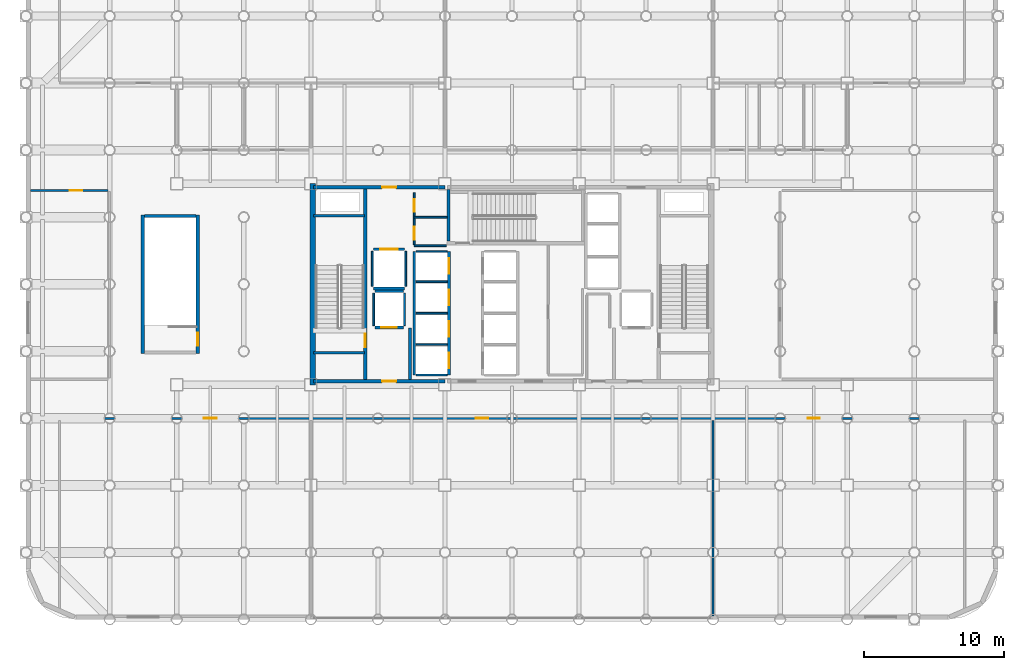
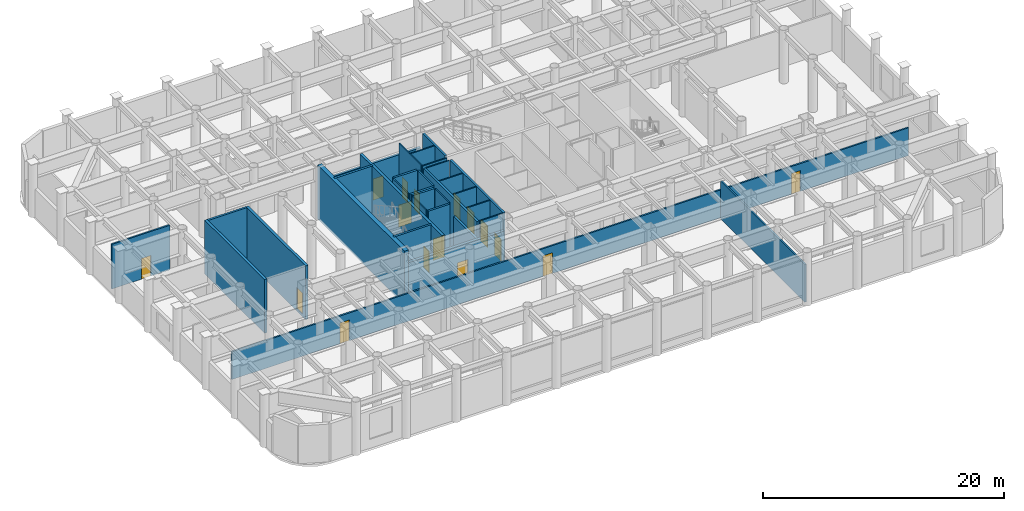
# One storey, part 14 of 20: 32 walls, 16 doors, 16 openings.
"""IFC4 building model written with IfcOpenShell, lengths in metres."""

import ifcopenshell
import ifcopenshell.guid

model = None  # the IFC model being written
_history = None  # IfcOwnerHistory: only IFC2X3 demands one
_inside = {}  # id of a spatial element -> (the spatial element, [elements in it])
_under = {}  # id of a project, library or spatial element -> (it, [spatial elements below it])
_declared = {}  # id of a project -> (the project, [libraries it declares])
_typed = {}  # id of a type object -> (the type object, [elements of that type])
_made_of = {}  # id of a material, layer set ... -> (it, [elements and type objects made of it])


def new_model(schema):
    """Start an empty IFC model of exactly this schema.

    Asked for "IFC4X3", IfcOpenShell would pick the latest addendum, in which some entities
    have other attributes; the version numbers below select the first issue.
    IFC2X3 requires an IfcOwnerHistory on every rooted entity: one is made here for all.
    """
    global model, _history
    if schema == "IFC4X3":
        model = ifcopenshell.file(schema_version=(4, 3, 0, 0))
    else:
        model = ifcopenshell.file(schema=schema)
    _inside.clear()
    _under.clear()
    _declared.clear()
    _typed.clear()
    _made_of.clear()
    _history = None
    if model.schema == "IFC2X3":
        org = make("IfcOrganization", Name="unknown")
        user = make(
            "IfcPersonAndOrganization",
            ThePerson=make("IfcPerson", FamilyName="unknown"),
            TheOrganization=org,
        )
        app = make(
            "IfcApplication",
            ApplicationDeveloper=org,
            Version="unknown",
            ApplicationFullName="unknown",
            ApplicationIdentifier="unknown",
        )
        _history = make(
            "IfcOwnerHistory",
            OwningUser=user,
            OwningApplication=app,
            ChangeAction="ADDED",
            CreationDate=0,
        )
    return model


def make(cls, **values):
    """One entity of the class cls with the attributes given. An attribute that is None is left unset."""
    return model.create_entity(
        cls, **{name: value for name, value in values.items() if value is not None}
    )


def rooted(cls, **values):
    """An entity with a GlobalId (a new one), such as an element, a storey or a relation."""
    return make(cls, GlobalId=ifcopenshell.guid.new(), OwnerHistory=_history, **values)


def si_unit(unit_type, name, prefix=None):
    """IfcSIUnit, for example si_unit("LENGTHUNIT", "METRE", prefix="MILLI")."""
    return make("IfcSIUnit", UnitType=unit_type, Prefix=prefix, Name=name)


def assignment(units):
    """IfcUnitAssignment: the units of a project."""
    return None if units is None else make("IfcUnitAssignment", Units=units)


def point(xyz):
    """IfcCartesianPoint."""
    return None if xyz is None else make("IfcCartesianPoint", Coordinates=xyz)


def direction(xyz):
    """IfcDirection."""
    return None if xyz is None else make("IfcDirection", DirectionRatios=xyz)


def frame(location, z_axis=None, x_axis=None):
    """IfcAxis2Placement3D, a coordinate frame: its origin and axes. An axis left out is left unset."""
    return make(
        "IfcAxis2Placement3D",
        Location=point(location),
        Axis=direction(z_axis),
        RefDirection=direction(x_axis),
    )


def frame_2d(location, x_axis=None):
    """IfcAxis2Placement2D, a coordinate frame in the plane: its origin and x axis."""
    return make(
        "IfcAxis2Placement2D", Location=point(location), RefDirection=direction(x_axis)
    )


def origin():
    """The frame at (0, 0, 0) with its axes left unset."""
    return frame((0.0, 0.0, 0.0))


def place(relative_to, where):
    """IfcLocalPlacement: puts the frame where relative to a parent placement (None: the world)."""
    return make(
        "IfcLocalPlacement", PlacementRelTo=relative_to, RelativePlacement=where
    )


def context(
    kind, dimensions, precision=None, world=None, true_north=None, identifier=None
):
    """IfcGeometricRepresentationContext, for example the 3D "Model" context."""
    return make(
        "IfcGeometricRepresentationContext",
        ContextIdentifier=identifier,
        ContextType=kind,
        CoordinateSpaceDimension=dimensions,
        Precision=precision,
        WorldCoordinateSystem=world,
        TrueNorth=true_north,
    )


def subcontext(parent, identifier, kind, view, scale=None):
    """IfcGeometricRepresentationSubContext, for example "Body" below "Model"."""
    return make(
        "IfcGeometricRepresentationSubContext",
        ContextIdentifier=identifier,
        ContextType=kind,
        ParentContext=parent,
        TargetScale=scale,
        TargetView=view,
    )


def project(units=None, contexts=None):
    """IfcProject with its units and contexts."""
    return rooted(
        "IfcProject",
        Name="project",
        RepresentationContexts=contexts,
        UnitsInContext=assignment(units),
    )


def spatial(cls, under=None, at=None, **own):
    """A site, building, storey or space (cls), placed at a placement, below another one or the project."""
    s = rooted(cls, ObjectPlacement=at, **own)
    if under is not None:
        _under.setdefault(under.id(), (under, []))[1].append(s)
    return s


def profile(cls, at=None, kind="AREA", **sizes):
    """A parametric profile (cls). Its sizes go by their IFC names, for example OverallWidth=200.0."""
    return make(cls, ProfileType=kind, Position=at, **sizes)


def rectangle(**sizes):
    """IfcRectangleProfileDef."""
    return profile("IfcRectangleProfileDef", **sizes)


def extrude(swept, where, along, depth):
    """IfcExtrudedAreaSolid: the profile swept, set in the frame where, extruded along a direction by depth."""
    return make(
        "IfcExtrudedAreaSolid",
        SweptArea=swept,
        Position=where,
        ExtrudedDirection=direction(along),
        Depth=depth,
    )


def shape(context_of_items, identifier, shape_type, items):
    """IfcShapeRepresentation: the items that make up one representation, for example the "Body"."""
    return make(
        "IfcShapeRepresentation",
        ContextOfItems=context_of_items,
        RepresentationIdentifier=identifier,
        RepresentationType=shape_type,
        Items=items,
    )


def material(Name=None, Category=None):
    """IfcMaterial."""
    return make("IfcMaterial", Name=Name, Category=Category)


def layer(
    of_material, thickness, ventilated=None, Name=None, Category=None, Priority=None
):
    """IfcMaterialLayer: one layer of a wall or slab, of a material (None: an air gap)."""
    return make(
        "IfcMaterialLayer",
        Material=of_material,
        LayerThickness=thickness,
        IsVentilated=ventilated,
        Name=Name,
        Category=Category,
        Priority=Priority,
    )


def layer_set(layers, Name=None):
    """IfcMaterialLayerSet."""
    return make("IfcMaterialLayerSet", MaterialLayers=layers, LayerSetName=Name)


def made_of(thing, what):
    """Note that an element or type object is made of a material, layer set ...; save() writes the relation."""
    if what is not None:
        _made_of.setdefault(what.id(), (what, []))[1].append(thing)
    return thing


def type_object(cls, material=None, **own):
    """A type object (cls), such as IfcWallType, which elements share."""
    return made_of(rooted(cls, **own), material)


def element(
    cls,
    number,
    at=None,
    inside=None,
    cuts=None,
    type_object=None,
    material=None,
    context=None,
    identifier="Body",
    shape_type=None,
    held_by="IfcProductDefinitionShape",
    body=None,
    shapes=None,
    **own,
):
    """One element of the class cls, such as IfcWall. Its Tag is "e" and its number.

    at: its placement. inside: the storey or other place that contains it. cuts: it is an
    opening in that element (IfcRelVoidsElement). A single representation is given by context,
    identifier, shape_type and body (its items); several are given by shapes. held_by: the class
    of the entity that holds the representations. save() writes the other relations.
    """
    e = rooted(cls, Tag="e%d" % number, ObjectPlacement=at, **own)
    if body is not None:
        shapes = [shape(context, identifier, shape_type, body)]
    if shapes is not None:
        e.Representation = make(held_by, Representations=shapes)
    if inside is not None:
        _inside.setdefault(inside.id(), (inside, []))[1].append(e)
    if cuts is not None:
        rooted(
            "IfcRelVoidsElement", RelatingBuildingElement=cuts, RelatedOpeningElement=e
        )
    if type_object is not None:
        _typed.setdefault(type_object.id(), (type_object, []))[1].append(e)
    return made_of(e, material)


def fill(opening, filler):
    """IfcRelFillsElement: the door or window that sits in an opening."""
    return rooted(
        "IfcRelFillsElement",
        RelatingOpeningElement=opening,
        RelatedBuildingElement=filler,
    )


def aggregate(whole, parts):
    """IfcRelAggregates: a whole, such as a stair, and the parts it consists of."""
    return rooted("IfcRelAggregates", RelatingObject=whole, RelatedObjects=parts)


def save(model, path):
    """Write the relations noted so far, then the file.

    IfcRelAggregates (storeys below a building ...), IfcRelContainedInSpatialStructure (elements
    in a storey), IfcRelDefinesByType, IfcRelAssociatesMaterial and IfcRelDeclares: one each for
    every whole, place, type object, material and project.
    """
    for whole, parts in _under.values():
        aggregate(whole, parts)
    for where, things in _inside.values():
        rooted(
            "IfcRelContainedInSpatialStructure",
            RelatedElements=things,
            RelatingStructure=where,
        )
    for kind, things in _typed.values():
        rooted("IfcRelDefinesByType", RelatedObjects=things, RelatingType=kind)
    for what, things in _made_of.values():
        rooted("IfcRelAssociatesMaterial", RelatedObjects=things, RelatingMaterial=what)
    for by, libraries in _declared.values():
        rooted("IfcRelDeclares", RelatingContext=by, RelatedDefinitions=libraries)
    model.write(path)


model = new_model("IFC4")

# Units and contexts
model_context = context("Model", 3, precision=1e-05, world=origin(), true_north=direction((0.0, 1.0)))
body_context = subcontext(model_context, "Body", "Model", "MODEL_VIEW")
ifc_project = project(units=[si_unit("LENGTHUNIT", "METRE"), si_unit("AREAUNIT", "SQUARE_METRE"), si_unit("VOLUMEUNIT", "CUBIC_METRE"), si_unit("PLANEANGLEUNIT", "RADIAN"), si_unit("MASSUNIT", "GRAM", prefix="KILO")], contexts=[model_context])

# Site, building, storey
site_placement = place(None, origin())
site = spatial("IfcSite", under=ifc_project, at=site_placement, CompositionType="ELEMENT")
building_placement = place(site_placement, origin())
building = spatial("IfcBuilding", under=site, at=building_placement, Name="Kallvorn Hotel Tower", CompositionType="ELEMENT")
storey_placement = place(building_placement, frame((0.0, 0.0, 24.60009765625)))
storey = spatial("IfcBuildingStorey", under=building, at=storey_placement, Name="L04", CompositionType="ELEMENT", Elevation=24.60009765625)

# Walls
ifc_material_1 = material(Name="Concrete C50/60", Category="concrete")
ifc_layer_1 = layer(ifc_material_1, 0.39990234375)
ifc_layer_set_1 = layer_set([ifc_layer_1], Name="WL_CORE_400")
wall_type_1 = type_object("IfcWallType", Name="WL_CORE_400", PredefinedType="SHEAR", material=ifc_layer_set_1)
wall_1_placement = place(storey_placement, frame((-14.264892578125, -7.199951171875, -0.22021484375), z_axis=(0.0, 0.0, 1.0), x_axis=(0.0, 1.0, 0.0)))
element("IfcWall", 1, at=wall_1_placement, inside=storey, type_object=wall_type_1, Name="L04 Core West Shear Wall", PredefinedType="SHEAR", context=body_context, shape_type="SweptSolid", body=[
    extrude(rectangle(XDim=14.39990234375, YDim=0.39990234375, at=frame_2d((7.199951171875, 0.0))), origin(), (0.0, 0.0, 1.0), 5.440185546875),
])
ifc_material_2 = material(Name="Concrete C40/50", Category="concrete")
ifc_layer_2 = layer(ifc_material_2, 0.219970703125)
ifc_layer_set_2 = layer_set([ifc_layer_2], Name="WL_FFL_220")
wall_type_2 = type_object("IfcWallType", Name="WL_FFL_220", PredefinedType="SOLIDWALL", material=ifc_layer_set_2)
wall_2_placement = place(storey_placement, frame((-7.300048828125, -6.820068359375, 0.0), z_axis=(0.0, 0.0, 1.0), x_axis=(0.0, 1.0, 0.0)))
element("IfcWall", 2, at=wall_2_placement, inside=storey, type_object=wall_type_2, Name="L04 Firefighting Lobby West Divider Wall", PredefinedType="SOLIDWALL", context=body_context, shape_type="SweptSolid", body=[
    extrude(rectangle(XDim=3.670166015625, YDim=0.219970703125, at=frame_2d((1.8349609375, 0.0))), origin(), (0.0, 0.0, 1.0), 3.81982421875),
])
ifc_material_3 = material(Name="Concrete C40/50", Category="concrete")
ifc_layer_3 = layer(ifc_material_3, 0.199951171875)
ifc_layer_set_3 = layer_set([ifc_layer_3], Name="WL_HOIST_200")
wall_type_3 = type_object("IfcWallType", Name="WL_HOIST_200", PredefinedType="SOLIDWALL", material=ifc_layer_set_3)
for number, where, z_axis, x_axis, name in (
    (3, (-14.199951171875, -4.89990234375, -0.22021484375), (0.0, 0.0, 1.0), (1.0, 0.0, 0.0), "L04 Stair ST1 South Wall"),
    (4, (-14.199951171875, 4.89990234375, -0.22021484375), (0.0, 0.0, 1.0), (1.0, 0.0, 0.0), "L04 Stair ST1 North Wall"),
):
    element("IfcWall", number, at=place(storey_placement, frame(where, z_axis=z_axis, x_axis=x_axis)), inside=storey, type_object=wall_type_3, Name=name, PredefinedType="SOLIDWALL", context=body_context, shape_type="SweptSolid", body=[
        extrude(rectangle(XDim=3.64990234375, YDim=0.199951171875, at=frame_2d((1.824951171875, 0.0))), origin(), (0.0, 0.0, 1.0), 5.440185546875),
    ])
wall_3_placement = place(storey_placement, frame((-4.550048828125, 3.080078125, -0.22021484375), z_axis=(0.0, 0.0, 1.0), x_axis=(0.0, 1.0, 0.0)))
element("IfcWall", 5, at=wall_3_placement, inside=storey, type_object=wall_type_3, Name="L04 Stair ST3 West Wall", PredefinedType="SOLIDWALL", context=body_context, shape_type="SweptSolid", body=[
    extrude(rectangle(XDim=3.739990234375, YDim=0.199951171875, at=frame_2d((1.8701171875, 0.0))), origin(), (0.0, 0.0, 1.0), 5.440185546875),
])
wall_4_placement = place(storey_placement, frame((-26.31005859375, 4.8798828125, -0.22021484375), z_axis=(0.0, 0.0, 1.0), x_axis=(1.0, 0.0, 0.0)))
element("IfcWall", 6, at=wall_4_placement, inside=storey, type_object=wall_type_3, Name="L04 Podium Exit Stair ST4 North Wall", PredefinedType="SOLIDWALL", context=body_context, shape_type="SweptSolid", body=[
    extrude(rectangle(XDim=3.68017578125, YDim=0.199951171875, at=frame_2d((1.840087890625, 0.0))), origin(), (0.0, 0.0, 1.0), 5.440185546875),
])

# Wall, openings, doors
wall_5_placement = place(storey_placement, frame((-4.5, -6.5, 0.0), z_axis=(0.0, 0.0, 1.0), x_axis=(0.0, 1.0, 0.0)))
wall_5 = element("IfcWall", 7, at=wall_5_placement, inside=storey, type_object=wall_type_3, Name="L04 Lift Bank B1 Landing Wall", PredefinedType="SOLIDWALL", context=body_context, shape_type="SweptSolid", body=[
    extrude(rectangle(XDim=8.85009765625, YDim=0.199951171875, at=frame_2d((4.425048828125, 0.0))), origin(), (0.0, 0.0, 1.0), 5.219970703125),
])
opening_1_placement = place(wall_5_placement, frame((0.5, 0.0, 0.0)))
opening_1 = element("IfcOpeningElement", 8, at=opening_1_placement, cuts=wall_5, Name="Opening LD-PL-01", PredefinedType="OPENING", context=body_context, shape_type="SweptSolid", body=[
    extrude(rectangle(XDim=1.10009765625, YDim=2.199951171875, at=frame_2d((0.550048828125, 1.10009765625))), frame((0.0, 0.114990234375, 0.0), z_axis=(0.0, -1.0, 0.0), x_axis=(1.0, 0.0, 0.0)), (0.0, 0.0, 1.0), 0.22998046875),
])
opening_2_placement = place(wall_5_placement, frame((2.75, 0.0, 0.0)))
opening_2 = element("IfcOpeningElement", 9, at=opening_2_placement, cuts=wall_5, Name="Opening LD-PL-02", PredefinedType="OPENING", context=body_context, shape_type="SweptSolid", body=[
    extrude(rectangle(XDim=1.10009765625, YDim=2.199951171875, at=frame_2d((0.550048828125, 1.10009765625))), frame((0.0, 0.114990234375, 0.0), z_axis=(0.0, -1.0, 0.0), x_axis=(1.0, 0.0, 0.0)), (0.0, 0.0, 1.0), 0.22998046875),
])
opening_3_placement = place(wall_5_placement, frame((5.0, 0.0, 0.0)))
opening_3 = element("IfcOpeningElement", 10, at=opening_3_placement, cuts=wall_5, Name="Opening LD-PL-03", PredefinedType="OPENING", context=body_context, shape_type="SweptSolid", body=[
    extrude(rectangle(XDim=1.10009765625, YDim=2.199951171875, at=frame_2d((0.550048828125, 1.10009765625))), frame((0.0, 0.114990234375, 0.0), z_axis=(0.0, -1.0, 0.0), x_axis=(1.0, 0.0, 0.0)), (0.0, 0.0, 1.0), 0.22998046875),
])
opening_4_placement = place(wall_5_placement, frame((7.25, 0.0, 0.0)))
opening_4 = element("IfcOpeningElement", 11, at=opening_4_placement, cuts=wall_5, Name="Opening LD-PL-04", PredefinedType="OPENING", context=body_context, shape_type="SweptSolid", body=[
    extrude(rectangle(XDim=1.10009765625, YDim=2.199951171875, at=frame_2d((0.550048828125, 1.10009765625))), frame((0.0, 0.114990234375, 0.0), z_axis=(0.0, -1.0, 0.0), x_axis=(1.0, 0.0, 0.0)), (0.0, 0.0, 1.0), 0.22998046875),
])
ifc_material_4 = material(Name="Brushed stainless-steel automatic sliding lift landing door", Category="steel")
door_type_1 = type_object("IfcDoorType", Name="LD_PASS_1100x2200", OperationType="SLIDING_TO_LEFT", PredefinedType="DOOR", material=ifc_material_4)
door_1_placement = place(opening_1_placement, origin())
door_1 = element("IfcDoor", 12, at=door_1_placement, inside=storey, type_object=door_type_1, Name="L04 Lift Landing Sliding Door LD-PL-01", OperationType="SLIDING_TO_LEFT", OverallHeight=2.199951171875, OverallWidth=1.10009765625, PredefinedType="DOOR", context=body_context, shape_type="SweptSolid", body=[
    extrude(rectangle(XDim=1.10009765625, YDim=2.199951171875, at=frame_2d((0.550048828125, 1.10009765625))), frame((0.0, 0.02490234375, 0.0), z_axis=(0.0, -1.0, 0.0), x_axis=(1.0, 0.0, 0.0)), (0.0, 0.0, 1.0), 0.050048828125),
])
fill(opening_1, door_1)
door_2_placement = place(opening_2_placement, origin())
door_2 = element("IfcDoor", 13, at=door_2_placement, inside=storey, type_object=door_type_1, Name="L04 Lift Landing Sliding Door LD-PL-02", OperationType="SLIDING_TO_LEFT", OverallHeight=2.199951171875, OverallWidth=1.10009765625, PredefinedType="DOOR", context=body_context, shape_type="SweptSolid", body=[
    extrude(rectangle(XDim=1.10009765625, YDim=2.199951171875, at=frame_2d((0.550048828125, 1.10009765625))), frame((0.0, 0.02490234375, 0.0), z_axis=(0.0, -1.0, 0.0), x_axis=(1.0, 0.0, 0.0)), (0.0, 0.0, 1.0), 0.050048828125),
])
fill(opening_2, door_2)
door_3_placement = place(opening_3_placement, origin())
door_3 = element("IfcDoor", 14, at=door_3_placement, inside=storey, type_object=door_type_1, Name="L04 Lift Landing Sliding Door LD-PL-03", OperationType="SLIDING_TO_LEFT", OverallHeight=2.199951171875, OverallWidth=1.10009765625, PredefinedType="DOOR", context=body_context, shape_type="SweptSolid", body=[
    extrude(rectangle(XDim=1.10009765625, YDim=2.199951171875, at=frame_2d((0.550048828125, 1.10009765625))), frame((0.0, 0.02490234375, 0.0), z_axis=(0.0, -1.0, 0.0), x_axis=(1.0, 0.0, 0.0)), (0.0, 0.0, 1.0), 0.050048828125),
])
fill(opening_3, door_3)
door_4_placement = place(opening_4_placement, origin())
door_4 = element("IfcDoor", 15, at=door_4_placement, inside=storey, type_object=door_type_1, Name="L04 Lift Landing Sliding Door LD-PL-04", OperationType="SLIDING_TO_LEFT", OverallHeight=2.199951171875, OverallWidth=1.10009765625, PredefinedType="DOOR", context=body_context, shape_type="SweptSolid", body=[
    extrude(rectangle(XDim=1.10009765625, YDim=2.199951171875, at=frame_2d((0.550048828125, 1.10009765625))), frame((0.0, 0.02490234375, 0.0), z_axis=(0.0, -1.0, 0.0), x_axis=(1.0, 0.0, 0.0)), (0.0, 0.0, 1.0), 0.050048828125),
])
fill(opening_4, door_4)

# Wall
wall_6_placement = place(storey_placement, frame((-7.0, -6.5, 0.0), z_axis=(0.0, 0.0, 1.0), x_axis=(0.0, 1.0, 0.0)))
element("IfcWall", 16, at=wall_6_placement, inside=storey, type_object=wall_type_3, Name="L04 Lift Bank B1 Rear Shaft Wall", PredefinedType="SOLIDWALL", context=body_context, shape_type="SweptSolid", body=[
    extrude(rectangle(XDim=8.85009765625, YDim=0.199951171875, at=frame_2d((4.425048828125, 0.0))), origin(), (0.0, 0.0, 1.0), 5.219970703125),
])

# Wall, opening, door
wall_7_placement = place(storey_placement, frame((-9.820068359375, -3.10009765625, 0.0), z_axis=(0.0, 0.0, 1.0), x_axis=(1.0, 0.0, 0.0)))
wall_7 = element("IfcWall", 17, at=wall_7_placement, inside=storey, type_object=wall_type_3, Name="L04 FL-1 Landing Wall", PredefinedType="SOLIDWALL", context=body_context, shape_type="SweptSolid", body=[
    extrude(rectangle(XDim=2.0400390625, YDim=0.199951171875, at=frame_2d((1.02001953125, 0.0))), origin(), (0.0, 0.0, 1.0), 5.219970703125),
])
opening_5_placement = place(wall_7_placement, frame((0.469970703125, 0.0, 0.0)))
opening_5 = element("IfcOpeningElement", 18, at=opening_5_placement, cuts=wall_7, Name="Opening LD-FL-1", PredefinedType="OPENING", context=body_context, shape_type="SweptSolid", body=[
    extrude(rectangle(XDim=1.10009765625, YDim=2.199951171875, at=frame_2d((0.550048828125, 1.10009765625))), frame((0.0, 0.114990234375, 0.0), z_axis=(0.0, -1.0, 0.0), x_axis=(1.0, 0.0, 0.0)), (0.0, 0.0, 1.0), 0.22998046875),
])
door_5_placement = place(opening_5_placement, origin())
door_5 = element("IfcDoor", 19, at=door_5_placement, inside=storey, type_object=door_type_1, Name="L04 Lift Landing Sliding Door LD-FL-1", OperationType="SLIDING_TO_LEFT", OverallHeight=2.199951171875, OverallWidth=1.10009765625, PredefinedType="DOOR", context=body_context, shape_type="SweptSolid", body=[
    extrude(rectangle(XDim=1.10009765625, YDim=2.199951171875, at=frame_2d((0.550048828125, 1.10009765625))), frame((0.0, 0.02490234375, 0.0), z_axis=(0.0, -1.0, 0.0), x_axis=(1.0, 0.0, 0.0)), (0.0, 0.0, 1.0), 0.050048828125),
])
fill(opening_5, door_5)

# Wall
wall_8_placement = place(storey_placement, frame((-9.820068359375, -0.5, 0.0), z_axis=(0.0, 0.0, 1.0), x_axis=(1.0, 0.0, 0.0)))
element("IfcWall", 20, at=wall_8_placement, inside=storey, type_object=wall_type_3, Name="L04 FL-1 Rear Shaft Wall", PredefinedType="SOLIDWALL", context=body_context, shape_type="SweptSolid", body=[
    extrude(rectangle(XDim=2.0400390625, YDim=0.199951171875, at=frame_2d((1.02001953125, 0.0))), origin(), (0.0, 0.0, 1.0), 5.219970703125),
])

# Wall, opening, door
wall_9_placement = place(storey_placement, frame((-9.919921875, 2.5, 0.0), z_axis=(0.0, 0.0, 1.0), x_axis=(1.0, 0.0, 0.0)))
wall_9 = element("IfcWall", 21, at=wall_9_placement, inside=storey, type_object=wall_type_3, Name="L04 SV-01 Landing Wall", PredefinedType="SOLIDWALL", context=body_context, shape_type="SweptSolid", body=[
    extrude(rectangle(XDim=2.239990234375, YDim=0.199951171875, at=frame_2d((1.1201171875, 0.0))), origin(), (0.0, 0.0, 1.0), 5.219970703125),
])
opening_6_placement = place(wall_9_placement, frame((0.4951171875, 0.0, 0.0)))
opening_6 = element("IfcOpeningElement", 22, at=opening_6_placement, cuts=wall_9, Name="Opening LD-SV-01", PredefinedType="OPENING", context=body_context, shape_type="SweptSolid", body=[
    extrude(rectangle(XDim=1.25, YDim=2.25, at=frame_2d((0.625, 1.125))), frame((0.0, 0.114990234375, 0.0), z_axis=(0.0, -1.0, 0.0), x_axis=(1.0, 0.0, 0.0)), (0.0, 0.0, 1.0), 0.22998046875),
])
ifc_material_5 = material(Name="Brushed stainless-steel automatic sliding lift landing door", Category="steel")
door_type_2 = type_object("IfcDoorType", Name="LD_SERV_1250x2250", OperationType="SLIDING_TO_LEFT", PredefinedType="DOOR", material=ifc_material_5)
door_6_placement = place(opening_6_placement, origin())
door_6 = element("IfcDoor", 23, at=door_6_placement, inside=storey, type_object=door_type_2, Name="L04 Lift Landing Sliding Door LD-SV-01", OperationType="SLIDING_TO_LEFT", OverallHeight=2.25, OverallWidth=1.25, PredefinedType="DOOR", context=body_context, shape_type="SweptSolid", body=[
    extrude(rectangle(XDim=1.25, YDim=2.25, at=frame_2d((0.625, 1.125))), frame((0.0, 0.02490234375, 0.0), z_axis=(0.0, -1.0, 0.0), x_axis=(1.0, 0.0, 0.0)), (0.0, 0.0, 1.0), 0.050048828125),
])
fill(opening_6, door_6)

# Walls
wall_10_placement = place(storey_placement, frame((-9.919921875, -0.300048828125, 0.0), z_axis=(0.0, 0.0, 1.0), x_axis=(1.0, 0.0, 0.0)))
element("IfcWall", 24, at=wall_10_placement, inside=storey, type_object=wall_type_3, Name="L04 SV-01 Rear Shaft Wall", PredefinedType="SOLIDWALL", context=body_context, shape_type="SweptSolid", body=[
    extrude(rectangle(XDim=2.239990234375, YDim=0.199951171875, at=frame_2d((1.1201171875, 0.0))), origin(), (0.0, 0.0, 1.0), 5.219970703125),
])
ifc_material_6 = material(Name="Fire-rated double-layer acoustic gypsum drywall EI 60")
ifc_layer_4 = layer(ifc_material_6, 0.1201171875)
ifc_layer_set_4 = layer_set([ifc_layer_4], Name="WL_INT_120")
wall_type_4 = type_object("IfcWallType", Name="WL_INT_120", PredefinedType="PARTITIONING", material=ifc_layer_set_4)
for number, where, z_axis, x_axis, name in (
    (25, (-6.860107421875, -6.5, 0.0), (0.0, 0.0, 1.0), (1.0, 0.0, 0.0), "L04 Lift Bank B1 South Closure Wall"),
    (26, (-6.860107421875, -4.324951171875, 0.0), (0.0, 0.0, 1.0), (1.0, 0.0, 0.0), "L04 PL-01 Hoistway Divider"),
    (27, (-6.860107421875, -2.074951171875, 0.0), (0.0, 0.0, 1.0), (1.0, 0.0, 0.0), "L04 PL-02 Hoistway Divider"),
    (28, (-6.860107421875, 0.175048828125, 0.0), (0.0, 0.0, 1.0), (1.0, 0.0, 0.0), "L04 PL-03 Hoistway Divider"),
    (29, (-6.860107421875, 2.35009765625, 0.0), (0.0, 0.0, 1.0), (1.0, 0.0, 0.0), "L04 PL-04 Hoistway Divider"),
):
    element("IfcWall", number, at=place(storey_placement, frame(where, z_axis=z_axis, x_axis=x_axis)), inside=storey, type_object=wall_type_4, Name=name, PredefinedType="PARTITIONING", context=body_context, shape_type="SweptSolid", body=[
        extrude(rectangle(XDim=2.22021484375, YDim=0.1201171875, at=frame_2d((1.110107421875, 0.0))), origin(), (0.0, 0.0, 1.0), 5.219970703125),
    ])
for number, where, z_axis, x_axis, name in (
    (30, (-9.89990234375, -2.9599609375, 0.0), (0.0, 0.0, 1.0), (0.0, 1.0, 0.0), "L04 FL-1 West Shaft Wall"),
    (31, (-7.699951171875, -2.9599609375, 0.0), (0.0, 0.0, 1.0), (0.0, 1.0, 0.0), "L04 FL-1 East Shaft Wall"),
):
    element("IfcWall", number, at=place(storey_placement, frame(where, z_axis=z_axis, x_axis=x_axis)), inside=storey, type_object=wall_type_4, Name=name, PredefinedType="PARTITIONING", context=body_context, shape_type="SweptSolid", body=[
        extrude(rectangle(XDim=2.320068359375, YDim=0.1201171875, at=frame_2d((1.16015625, 0.0))), origin(), (0.0, 0.0, 1.0), 5.219970703125),
    ])
for number, where, z_axis, x_axis, name in (
    (32, (-10.0, -0.159912109375, 0.0), (0.0, 0.0, 1.0), (0.0, 1.0, 0.0), "L04 SV-01 West Shaft Wall"),
    (33, (-7.60009765625, -0.159912109375, 0.0), (0.0, 0.0, 1.0), (0.0, 1.0, 0.0), "L04 SV-01 East Shaft Wall"),
):
    element("IfcWall", number, at=place(storey_placement, frame(where, z_axis=z_axis, x_axis=x_axis)), inside=storey, type_object=wall_type_4, Name=name, PredefinedType="PARTITIONING", context=body_context, shape_type="SweptSolid", body=[
        extrude(rectangle(XDim=2.52001953125, YDim=0.1201171875, at=frame_2d((1.260009765625, 0.0))), origin(), (0.0, 0.0, 1.0), 5.219970703125),
    ])
wall_11_placement = place(storey_placement, frame((-7.0, 2.75, 0.0), z_axis=(0.0, 0.0, 1.0), x_axis=(1.0, 0.0, 0.0)))
element("IfcWall", 34, at=wall_11_placement, inside=storey, type_object=wall_type_4, Name="L04 Core Ice and Vending Pantry Partition", PredefinedType="PARTITIONING", context=body_context, shape_type="SweptSolid", body=[
    extrude(rectangle(XDim=2.31005859375, YDim=0.1201171875, at=frame_2d((1.155029296875, 0.0))), origin(), (0.0, 0.0, 1.0), 5.219970703125),
])
wall_12_placement = place(storey_placement, frame((-7.0, 4.800048828125, 0.0), z_axis=(0.0, 0.0, 1.0), x_axis=(1.0, 0.0, 0.0)))
element("IfcWall", 35, at=wall_12_placement, inside=storey, type_object=wall_type_4, Name="L04 Core Ice and Vending Pantry Partition", PredefinedType="PARTITIONING", context=body_context, shape_type="SweptSolid", body=[
    extrude(rectangle(XDim=2.35009765625, YDim=0.1201171875, at=frame_2d((1.175048828125, 0.0))), origin(), (0.0, 0.0, 1.0), 5.219970703125),
])

# Wall, openings, doors
wall_13_placement = place(storey_placement, frame((-7.0, 2.8349609375, 0.0), z_axis=(0.0, 0.0, 1.0), x_axis=(0.0, 1.0, 0.0)))
wall_13 = element("IfcWall", 36, at=wall_13_placement, inside=storey, type_object=wall_type_4, Name="L04 Core Ice and Vending Pantry Partition", PredefinedType="PARTITIONING", context=body_context, shape_type="SweptSolid", body=[
    extrude(rectangle(XDim=3.715087890625, YDim=0.1201171875, at=frame_2d((1.857421875, 0.0))), origin(), (0.0, 0.0, 1.0), 5.219970703125),
])
opening_7_placement = place(wall_13_placement, frame((0.364990234375, 0.0, 0.0)))
opening_7 = element("IfcOpeningElement", 37, at=opening_7_placement, cuts=wall_13, Name="Opening SVD1", PredefinedType="OPENING", context=body_context, shape_type="SweptSolid", body=[
    extrude(rectangle(XDim=0.89990234375, YDim=2.10009765625, at=frame_2d((0.449951171875, 1.050048828125))), frame((0.0, 0.074951171875, 0.0), z_axis=(0.0, -1.0, 0.0), x_axis=(1.0, 0.0, 0.0)), (0.0, 0.0, 1.0), 0.150146484375),
])
opening_8_placement = place(wall_13_placement, frame((2.364990234375, 0.0, 0.0)))
opening_8 = element("IfcOpeningElement", 38, at=opening_8_placement, cuts=wall_13, Name="Opening SVD1", PredefinedType="OPENING", context=body_context, shape_type="SweptSolid", body=[
    extrude(rectangle(XDim=0.89990234375, YDim=2.10009765625, at=frame_2d((0.449951171875, 1.050048828125))), frame((0.0, 0.074951171875, 0.0), z_axis=(0.0, -1.0, 0.0), x_axis=(1.0, 0.0, 0.0)), (0.0, 0.0, 1.0), 0.150146484375),
])
ifc_material_7 = material(Name="Galvanised painted steel fire-rated door assembly", Category="steel")
door_type_3 = type_object("IfcDoorType", Name="DR_SERV_900x2100", OperationType="NOTDEFINED", PredefinedType="DOOR", material=ifc_material_7)
door_7_placement = place(opening_7_placement, origin())
door_7 = element("IfcDoor", 39, at=door_7_placement, inside=storey, type_object=door_type_3, Name="L04 Core Ice and Vending Pantry Door", OperationType="SINGLE_SWING_LEFT", OverallHeight=2.10009765625, OverallWidth=0.89990234375, PredefinedType="DOOR", context=body_context, shape_type="SweptSolid", body=[
    extrude(rectangle(XDim=0.89990234375, YDim=2.10009765625, at=frame_2d((0.449951171875, 1.050048828125))), frame((0.0, 0.02490234375, 0.0), z_axis=(0.0, -1.0, 0.0), x_axis=(1.0, 0.0, 0.0)), (0.0, 0.0, 1.0), 0.050048828125),
])
fill(opening_7, door_7)
door_8_placement = place(opening_8_placement, origin())
door_8 = element("IfcDoor", 40, at=door_8_placement, inside=storey, type_object=door_type_3, Name="L04 Core Linen Supply Closet Door", OperationType="SINGLE_SWING_LEFT", OverallHeight=2.10009765625, OverallWidth=0.89990234375, PredefinedType="DOOR", context=body_context, shape_type="SweptSolid", body=[
    extrude(rectangle(XDim=0.89990234375, YDim=2.10009765625, at=frame_2d((0.449951171875, 1.050048828125))), frame((0.0, 0.02490234375, 0.0), z_axis=(0.0, -1.0, 0.0), x_axis=(1.0, 0.0, 0.0)), (0.0, 0.0, 1.0), 0.050048828125),
])
fill(opening_8, door_8)

ifc_material_8 = material(Name="Fire-rated double-layer acoustic gypsum drywall EI 60")
ifc_layer_5 = layer(ifc_material_8, 0.14990234375)
ifc_layer_set_5 = layer_set([ifc_layer_5], Name="WL_PART_150")
wall_type_5 = type_object("IfcWallType", Name="WL_PART_150", PredefinedType="PARTITIONING", material=ifc_layer_set_5)
wall_14_placement = place(storey_placement, frame((-32.39990234375, -9.60009765625, 0.0), z_axis=(0.0, 0.0, 1.0), x_axis=(1.0, 0.0, 0.0)))
wall_14 = element("IfcWall", 41, at=wall_14_placement, inside=storey, type_object=wall_type_5, Name="L04 Altitude Fitness and Cardio Gymnasium Partition", PredefinedType="PARTITIONING", context=body_context, shape_type="SweptSolid", body=[
    extrude(rectangle(XDim=64.7998046875, YDim=0.14990234375, at=frame_2d((32.39990234375, 0.0))), origin(), (0.0, 0.0, 1.0), 2.81982421875),
])
opening_9_placement = place(wall_14_placement, frame((29.801513671875, 0.0, 0.0)))
opening_9 = element("IfcOpeningElement", 42, at=opening_9_placement, cuts=wall_14, Name="Opening SVD1", PredefinedType="OPENING", context=body_context, shape_type="SweptSolid", body=[
    extrude(rectangle(XDim=0.89990234375, YDim=2.10009765625, at=frame_2d((0.449951171875, 1.050048828125))), frame((0.0, 0.08984375, 0.0), z_axis=(0.0, -1.0, 0.0), x_axis=(1.0, 0.0, 0.0)), (0.0, 0.0, 1.0), 0.179931640625),
])
opening_10_placement = place(wall_14_placement, frame((10.35009765625, 0.0, 0.0)))
opening_10 = element("IfcOpeningElement", 43, at=opening_10_placement, cuts=wall_14, Name="Opening SVD1", PredefinedType="OPENING", context=body_context, shape_type="SweptSolid", body=[
    extrude(rectangle(XDim=0.89990234375, YDim=2.10009765625, at=frame_2d((0.449951171875, 1.050048828125))), frame((0.0, 0.08984375, 0.0), z_axis=(0.0, -1.0, 0.0), x_axis=(1.0, 0.0, 0.0)), (0.0, 0.0, 1.0), 0.179931640625),
])
opening_11_placement = place(wall_14_placement, frame((53.570068359375, 0.0, 0.0)))
opening_11 = element("IfcOpeningElement", 44, at=opening_11_placement, cuts=wall_14, Name="Opening BD-I", PredefinedType="OPENING", context=body_context, shape_type="SweptSolid", body=[
    extrude(rectangle(XDim=0.860107421875, YDim=2.10009765625, at=frame_2d((0.43017578125, 1.050048828125))), frame((0.0, 0.08984375, 0.0), z_axis=(0.0, -1.0, 0.0), x_axis=(1.0, 0.0, 0.0)), (0.0, 0.0, 1.0), 0.179931640625),
])
ifc_material_9 = material(Name="Solid-core walnut veneer fire-rated timber door leaf", Category="wood")
door_type_4 = type_object("IfcDoorType", Name="DR_BATH_860x2100", OperationType="NOTDEFINED", PredefinedType="DOOR", material=ifc_material_9)
door_9_placement = place(opening_11_placement, origin())
door_9 = element("IfcDoor", 45, at=door_9_placement, inside=storey, type_object=door_type_4, Name="L04 Thermal Sauna and Steam Changing Block Door", OperationType="SINGLE_SWING_RIGHT", OverallHeight=2.10009765625, OverallWidth=0.860107421875, PredefinedType="DOOR", context=body_context, shape_type="SweptSolid", body=[
    extrude(rectangle(XDim=0.860107421875, YDim=2.10009765625, at=frame_2d((0.43017578125, 1.050048828125))), frame((0.0, 0.02490234375, 0.0), z_axis=(0.0, -1.0, 0.0), x_axis=(1.0, 0.0, 0.0)), (0.0, 0.0, 1.0), 0.050048828125),
])
fill(opening_11, door_9)
door_10_placement = place(opening_9_placement, origin())
door_10 = element("IfcDoor", 46, at=door_10_placement, inside=storey, type_object=door_type_3, Name="L04 Indoor Lap Pool and Hydrotherapy Natatorium Door", OperationType="SINGLE_SWING_LEFT", OverallHeight=2.10009765625, OverallWidth=0.89990234375, PredefinedType="DOOR", context=body_context, shape_type="SweptSolid", body=[
    extrude(rectangle(XDim=0.89990234375, YDim=2.10009765625, at=frame_2d((0.449951171875, 1.050048828125))), frame((0.0, 0.02490234375, 0.0), z_axis=(0.0, -1.0, 0.0), x_axis=(1.0, 0.0, 0.0)), (0.0, 0.0, 1.0), 0.050048828125),
])
fill(opening_9, door_10)
door_11_placement = place(opening_10_placement, origin())
door_11 = element("IfcDoor", 47, at=door_11_placement, inside=storey, type_object=door_type_3, Name="L04 Altitude Fitness and Cardio Gymnasium Door", OperationType="SINGLE_SWING_LEFT", OverallHeight=2.10009765625, OverallWidth=0.89990234375, PredefinedType="DOOR", context=body_context, shape_type="SweptSolid", body=[
    extrude(rectangle(XDim=0.89990234375, YDim=2.10009765625, at=frame_2d((0.449951171875, 1.050048828125))), frame((0.0, 0.02490234375, 0.0), z_axis=(0.0, -1.0, 0.0), x_axis=(1.0, 0.0, 0.0)), (0.0, 0.0, 1.0), 0.050048828125),
])
fill(opening_10, door_11)

# Wall, opening, door
wall_15_placement = place(storey_placement, frame((-34.469970703125, 6.716796875, 0.0), z_axis=(0.0, 0.0, 1.0), x_axis=(1.0, 0.0, 0.0)))
wall_15 = element("IfcWall", 48, at=wall_15_placement, inside=storey, type_object=wall_type_5, Name="L04 West Relaxation Tea Bar Partition", PredefinedType="PARTITIONING", context=body_context, shape_type="SweptSolid", body=[
    extrude(rectangle(XDim=5.550048828125, YDim=0.14990234375, at=frame_2d((2.77490234375, 0.0))), origin(), (0.0, 0.0, 1.0), 4.52001953125),
])
opening_12_placement = place(wall_15_placement, frame((2.820068359375, 0.0, 0.0)))
opening_12 = element("IfcOpeningElement", 49, at=opening_12_placement, cuts=wall_15, Name="Opening SVD1", PredefinedType="OPENING", context=body_context, shape_type="SweptSolid", body=[
    extrude(rectangle(XDim=0.89990234375, YDim=2.10009765625, at=frame_2d((0.449951171875, 1.050048828125))), frame((0.0, 0.08984375, 0.0), z_axis=(0.0, -1.0, 0.0), x_axis=(1.0, 0.0, 0.0)), (0.0, 0.0, 1.0), 0.179931640625),
])
door_12_placement = place(opening_12_placement, origin())
door_12 = element("IfcDoor", 50, at=door_12_placement, inside=storey, type_object=door_type_3, Name="L04 West Relaxation Tea Bar Door", OperationType="SINGLE_SWING_RIGHT", OverallHeight=2.10009765625, OverallWidth=0.89990234375, PredefinedType="DOOR", context=body_context, shape_type="SweptSolid", body=[
    extrude(rectangle(XDim=0.89990234375, YDim=2.10009765625, at=frame_2d((0.449951171875, 1.050048828125))), frame((0.0, 0.02490234375, 0.0), z_axis=(0.0, -1.0, 0.0), x_axis=(1.0, 0.0, 0.0)), (0.0, 0.0, 1.0), 0.050048828125),
])
fill(opening_12, door_12)

# Wall
wall_16_placement = place(storey_placement, frame((14.39990234375, -23.7548828125, 0.0), z_axis=(0.0, 0.0, 1.0), x_axis=(0.0, 1.0, 0.0)))
element("IfcWall", 51, at=wall_16_placement, inside=storey, type_object=wall_type_5, Name="L04 Indoor Lap Pool and Hydrotherapy Natatorium Partition", PredefinedType="PARTITIONING", context=body_context, shape_type="SweptSolid", body=[
    extrude(rectangle(XDim=14.0048828125, YDim=0.14990234375, at=frame_2d((7.00244140625, 0.0))), origin(), (0.0, 0.0, 1.0), 3.81982421875),
])

# Wall, opening, door
ifc_material_10 = material(Name="Concrete C40/50", Category="concrete")
ifc_layer_6 = layer(ifc_material_10, 0.25)
ifc_layer_set_6 = layer_set([ifc_layer_6], Name="WL_SHAFT_250")
wall_type_6 = type_object("IfcWallType", Name="WL_SHAFT_250", PredefinedType="SOLIDWALL", material=ifc_layer_set_6)
wall_17_placement = place(storey_placement, frame((-14.199951171875, -6.949951171875, 0.0), z_axis=(0.0, 0.0, 1.0), x_axis=(1.0, 0.0, 0.0)))
wall_17 = element("IfcWall", 52, at=wall_17_placement, inside=storey, type_object=wall_type_6, Name="L04 Core South-West Wall", PredefinedType="SOLIDWALL", context=body_context, shape_type="SweptSolid", body=[
    extrude(rectangle(XDim=9.39990234375, YDim=0.25, at=frame_2d((4.699951171875, 0.0))), origin(), (0.0, 0.0, 1.0), 3.81982421875),
])
opening_13_placement = place(wall_17_placement, frame((4.89990234375, 0.0, 0.0)))
opening_13 = element("IfcOpeningElement", 53, at=opening_13_placement, cuts=wall_17, Name="Opening FD1", PredefinedType="OPENING", context=body_context, shape_type="SweptSolid", body=[
    extrude(rectangle(XDim=1.0, YDim=2.14990234375, at=frame_2d((0.5, 1.074951171875))), frame((0.0, 0.139892578125, 0.0), z_axis=(0.0, -1.0, 0.0), x_axis=(1.0, 0.0, 0.0)), (0.0, 0.0, 1.0), 0.280029296875),
])
ifc_material_11 = material(Name="Galvanised painted steel fire-rated door assembly", Category="steel")
door_type_5 = type_object("IfcDoorType", Name="DR_FFL_1000x2150", OperationType="NOTDEFINED", PredefinedType="DOOR", material=ifc_material_11)
door_13_placement = place(opening_13_placement, origin())
door_13 = element("IfcDoor", 54, at=door_13_placement, inside=storey, type_object=door_type_5, Name="L04 Firefighting Lobby West Door", OperationType="SINGLE_SWING_LEFT", OverallHeight=2.14990234375, OverallWidth=1.0, PredefinedType="DOOR", context=body_context, shape_type="SweptSolid", body=[
    extrude(rectangle(XDim=1.0, YDim=2.14990234375, at=frame_2d((0.5, 1.074951171875))), frame((0.0, 0.02490234375, 0.0), z_axis=(0.0, -1.0, 0.0), x_axis=(1.0, 0.0, 0.0)), (0.0, 0.0, 1.0), 0.050048828125),
])
fill(opening_13, door_13)

wall_18_placement = place(storey_placement, frame((-14.199951171875, 6.949951171875, 0.0), z_axis=(0.0, 0.0, 1.0), x_axis=(1.0, 0.0, 0.0)))
wall_18 = element("IfcWall", 55, at=wall_18_placement, inside=storey, type_object=wall_type_6, Name="L04 Core North-West Wall", PredefinedType="SOLIDWALL", context=body_context, shape_type="SweptSolid", body=[
    extrude(rectangle(XDim=9.39990234375, YDim=0.25, at=frame_2d((4.699951171875, 0.0))), origin(), (0.0, 0.0, 1.0), 3.81982421875),
])
opening_14_placement = place(wall_18_placement, frame((4.89990234375, 0.0, 0.0)))
opening_14 = element("IfcOpeningElement", 56, at=opening_14_placement, cuts=wall_18, Name="Opening FD1", PredefinedType="OPENING", context=body_context, shape_type="SweptSolid", body=[
    extrude(rectangle(XDim=1.0, YDim=2.14990234375, at=frame_2d((0.5, 1.074951171875))), frame((0.0, 0.139892578125, 0.0), z_axis=(0.0, -1.0, 0.0), x_axis=(1.0, 0.0, 0.0)), (0.0, 0.0, 1.0), 0.280029296875),
])
door_14_placement = place(opening_14_placement, origin())
door_14 = element("IfcDoor", 57, at=door_14_placement, inside=storey, type_object=door_type_5, Name="L04 Service Lift Lobby Door", OperationType="SINGLE_SWING_RIGHT", OverallHeight=2.14990234375, OverallWidth=1.0, PredefinedType="DOOR", context=body_context, shape_type="SweptSolid", body=[
    extrude(rectangle(XDim=1.0, YDim=2.14990234375, at=frame_2d((0.5, 1.074951171875))), frame((0.0, 0.02490234375, 0.0), z_axis=(0.0, -1.0, 0.0), x_axis=(1.0, 0.0, 0.0)), (0.0, 0.0, 1.0), 0.050048828125),
])
fill(opening_14, door_14)

wall_19_placement = place(storey_placement, frame((-10.5, -6.820068359375, -0.22021484375), z_axis=(0.0, 0.0, 1.0), x_axis=(0.0, 1.0, 0.0)))
wall_19 = element("IfcWall", 58, at=wall_19_placement, inside=storey, type_object=wall_type_6, Name="L04 Stair ST1 Shaft Wall", PredefinedType="SOLIDWALL", context=body_context, shape_type="SweptSolid", body=[
    extrude(rectangle(XDim=13.64013671875, YDim=0.25, at=frame_2d((6.820068359375, 0.0))), origin(), (0.0, 0.0, 1.0), 5.440185546875),
])
opening_15_placement = place(wall_19_placement, frame((2.320068359375, 0.0, 0.219970703125)))
opening_15 = element("IfcOpeningElement", 59, at=opening_15_placement, cuts=wall_19, Name="Opening SD1", PredefinedType="OPENING", context=body_context, shape_type="SweptSolid", body=[
    extrude(rectangle(XDim=0.949951171875, YDim=2.14990234375, at=frame_2d((0.47509765625, 1.074951171875))), frame((0.0, 0.139892578125, 0.0), z_axis=(0.0, -1.0, 0.0), x_axis=(1.0, 0.0, 0.0)), (0.0, 0.0, 1.0), 0.280029296875),
])
ifc_material_12 = material(Name="Galvanised painted steel fire-rated door assembly", Category="steel")
door_type_6 = type_object("IfcDoorType", Name="DR_STAIR_950x2150", OperationType="NOTDEFINED", PredefinedType="DOOR", material=ifc_material_12)
door_15_placement = place(opening_15_placement, origin())
door_15 = element("IfcDoor", 60, at=door_15_placement, inside=storey, type_object=door_type_6, Name="L04 Exit Stair ST1 Fire Door", OperationType="SINGLE_SWING_RIGHT", OverallHeight=2.14990234375, OverallWidth=0.949951171875, PredefinedType="DOOR", context=body_context, shape_type="SweptSolid", body=[
    extrude(rectangle(XDim=0.949951171875, YDim=2.14990234375, at=frame_2d((0.47509765625, 1.074951171875))), frame((0.0, 0.02490234375, 0.0), z_axis=(0.0, -1.0, 0.0), x_axis=(1.0, 0.0, 0.0)), (0.0, 0.0, 1.0), 0.050048828125),
])
fill(opening_15, door_15)

wall_20_placement = place(storey_placement, frame((-22.5, -4.9599609375, -0.22021484375), z_axis=(0.0, 0.0, 1.0), x_axis=(0.0, 1.0, 0.0)))
wall_20 = element("IfcWall", 61, at=wall_20_placement, inside=storey, type_object=wall_type_6, Name="L04 Podium Exit Stair ST4 East Wall", PredefinedType="SOLIDWALL", context=body_context, shape_type="SweptSolid", body=[
    extrude(rectangle(XDim=9.919921875, YDim=0.25, at=frame_2d((4.9599609375, 0.0))), origin(), (0.0, 0.0, 1.0), 5.440185546875),
])
opening_16_placement = place(wall_20_placement, frame((0.550048828125, 0.0, 0.219970703125)))
opening_16 = element("IfcOpeningElement", 62, at=opening_16_placement, cuts=wall_20, Name="Opening SD1", PredefinedType="OPENING", context=body_context, shape_type="SweptSolid", body=[
    extrude(rectangle(XDim=0.949951171875, YDim=2.14990234375, at=frame_2d((0.47509765625, 1.074951171875))), frame((0.0, 0.139892578125, 0.0), z_axis=(0.0, -1.0, 0.0), x_axis=(1.0, 0.0, 0.0)), (0.0, 0.0, 1.0), 0.280029296875),
])
door_16_placement = place(opening_16_placement, origin())
door_16 = element("IfcDoor", 63, at=door_16_placement, inside=storey, type_object=door_type_6, Name="L04 Podium Exit Stair ST4 Fire Door", OperationType="SINGLE_SWING_LEFT", OverallHeight=2.14990234375, OverallWidth=0.949951171875, PredefinedType="DOOR", context=body_context, shape_type="SweptSolid", body=[
    extrude(rectangle(XDim=0.949951171875, YDim=2.14990234375, at=frame_2d((0.47509765625, 1.074951171875))), frame((0.0, 0.02490234375, 0.0), z_axis=(0.0, -1.0, 0.0), x_axis=(1.0, 0.0, 0.0)), (0.0, 0.0, 1.0), 0.050048828125),
])
fill(opening_16, door_16)

# Wall
wall_21_placement = place(storey_placement, frame((-26.43994140625, -4.9599609375, -0.22021484375), z_axis=(0.0, 0.0, 1.0), x_axis=(0.0, 1.0, 0.0)))
element("IfcWall", 64, at=wall_21_placement, inside=storey, type_object=wall_type_6, Name="L04 Podium Exit Stair ST4 West Wall", PredefinedType="SOLIDWALL", context=body_context, shape_type="SweptSolid", body=[
    extrude(rectangle(XDim=9.919921875, YDim=0.25, at=frame_2d((4.9599609375, 0.0))), origin(), (0.0, 0.0, 1.0), 5.440185546875),
])

save(model, "model.ifc")
